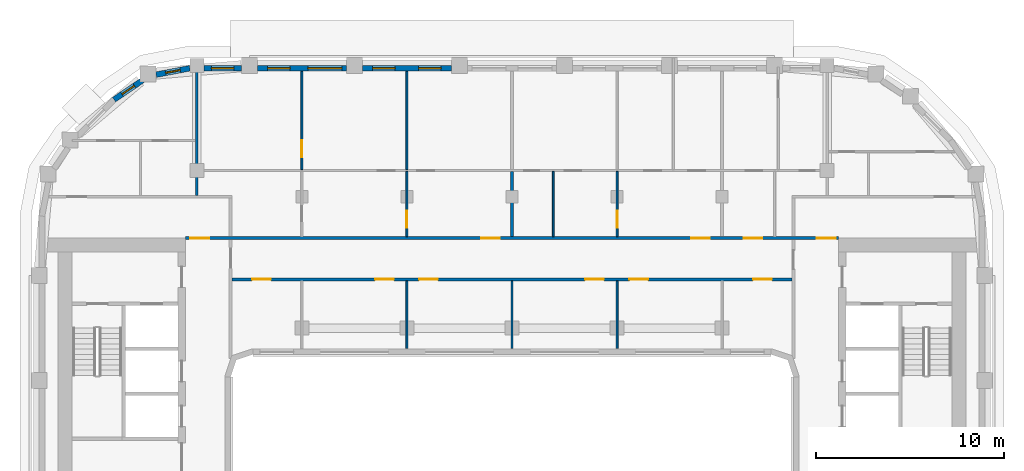
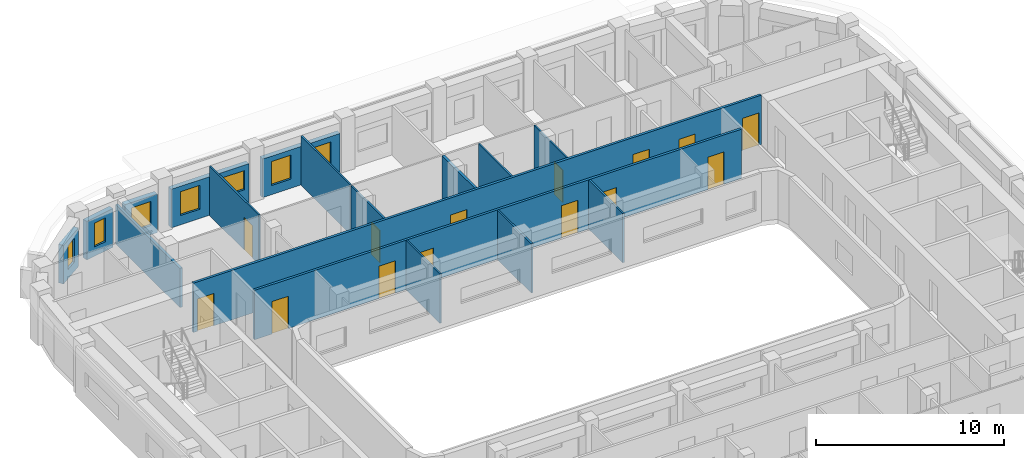
# One storey, part 7 of 21: 17 walls, 14 doors, 7 windows, 21 openings.
"""IFC4 building model written with IfcOpenShell, lengths in metres."""

from ifc_helpers import new_model, si_unit, direction, frame, frame_2d, origin, place, context, subcontext, project, spatial, rectangle, extrude, material, layer, layer_set, type_object, element, fill, save


model = new_model("IFC4")

# Units and contexts
model_context = context("Model", 3, precision=1e-05, world=origin(), true_north=direction((0.0, 1.0)))
body_context = subcontext(model_context, "Body", "Model", "MODEL_VIEW")
ifc_project = project(units=[si_unit("LENGTHUNIT", "METRE"), si_unit("AREAUNIT", "SQUARE_METRE"), si_unit("VOLUMEUNIT", "CUBIC_METRE"), si_unit("PLANEANGLEUNIT", "RADIAN"), si_unit("MASSUNIT", "GRAM", prefix="KILO")], contexts=[model_context])

# Site, building, storey
site_placement = place(None, origin())
site = spatial("IfcSite", under=ifc_project, at=site_placement, CompositionType="ELEMENT")
building_placement = place(site_placement, origin())
building = spatial("IfcBuilding", under=site, at=building_placement, Name="Kiln Ring Residences", CompositionType="ELEMENT")
storey_placement = place(building_placement, frame((0.0, 0.0, 216.89990234375)))
storey = spatial("IfcBuildingStorey", under=building, at=storey_placement, Name="L56", CompositionType="ELEMENT", Elevation=216.89990234375)

# Wall, openings, windows
ifc_material_1 = material(Name="Brick masonry, dark clay brick", Category="masonry")
ifc_layer_1 = layer(ifc_material_1, 0.300048828125)
ifc_layer_set_1 = layer_set([ifc_layer_1], Name="EW-300 BRICK WALL")
wall_type_1 = type_object("IfcWallType", Name="EW-300 BRICK WALL", PredefinedType="SOLIDWALL", material=ifc_layer_set_1)
wall_1_placement = place(storey_placement, frame((-3.22509765625, 22.25, 0.0), z_axis=(0.0, 0.0, 1.0), x_axis=(-1.0, 0.0, 0.0)))
wall_1 = element("IfcWall", 1, at=wall_1_placement, inside=storey, type_object=wall_type_1, Name="Facade wall L56 31", PredefinedType="SOLIDWALL", context=body_context, shape_type="SweptSolid", body=[
    extrude(rectangle(XDim=4.75, YDim=0.300048828125, at=frame_2d((2.375, 0.0))), origin(), (0.0, 0.0, 1.0), 2.5),
])
opening_1_placement = place(wall_1_placement, frame((0.550048828125, 0.0, 0.60009765625)))
opening_1 = element("IfcOpeningElement", 2, at=opening_1_placement, cuts=wall_1, Name="Opening W1", PredefinedType="OPENING", context=body_context, shape_type="SweptSolid", body=[
    extrude(rectangle(XDim=1.199951171875, YDim=1.550048828125, at=frame_2d((0.60009765625, 0.77490234375))), frame((0.0, 0.159912109375, 0.0), z_axis=(0.0, -1.0, 0.0), x_axis=(1.0, 0.0, 0.0)), (0.0, 0.0, 1.0), 0.320068359375),
])
opening_2_placement = place(wall_1_placement, frame((3.0, 0.0, 0.60009765625)))
opening_2 = element("IfcOpeningElement", 3, at=opening_2_placement, cuts=wall_1, Name="Opening W1", PredefinedType="OPENING", context=body_context, shape_type="SweptSolid", body=[
    extrude(rectangle(XDim=1.199951171875, YDim=1.550048828125, at=frame_2d((0.60009765625, 0.77490234375))), frame((0.0, 0.159912109375, 0.0), z_axis=(0.0, -1.0, 0.0), x_axis=(1.0, 0.0, 0.0)), (0.0, 0.0, 1.0), 0.320068359375),
])
ifc_material_2 = material(Name="Aluminium frame with double glazing", Category="aluminium")
window_type_1 = type_object("IfcWindowType", Name="WINDOW 1200 x 1550", PartitioningType="SINGLE_PANEL", PredefinedType="WINDOW", material=ifc_material_2)
window_1_placement = place(opening_1_placement, origin())
window_1 = element("IfcWindow", 4, at=window_1_placement, inside=storey, type_object=window_type_1, Name="Window L56 26", OverallHeight=1.550048828125, OverallWidth=1.199951171875, PartitioningType="SINGLE_PANEL", PredefinedType="WINDOW", context=body_context, shape_type="SweptSolid", body=[
    extrude(rectangle(XDim=1.199951171875, YDim=1.550048828125, at=frame_2d((0.60009765625, 0.77490234375))), frame((0.0, 0.030029296875, 0.0), z_axis=(0.0, -1.0, 0.0), x_axis=(1.0, 0.0, 0.0)), (0.0, 0.0, 1.0), 0.06005859375),
])
fill(opening_1, window_1)
window_2_placement = place(opening_2_placement, origin())
window_2 = element("IfcWindow", 5, at=window_2_placement, inside=storey, type_object=window_type_1, Name="Window L56 27", OverallHeight=1.550048828125, OverallWidth=1.199951171875, PartitioningType="SINGLE_PANEL", PredefinedType="WINDOW", context=body_context, shape_type="SweptSolid", body=[
    extrude(rectangle(XDim=1.199951171875, YDim=1.550048828125, at=frame_2d((0.60009765625, 0.77490234375))), frame((0.0, 0.030029296875, 0.0), z_axis=(0.0, -1.0, 0.0), x_axis=(1.0, 0.0, 0.0)), (0.0, 0.0, 1.0), 0.06005859375),
])
fill(opening_2, window_2)

wall_2_placement = place(storey_placement, frame((-8.824951171875, 22.25, 0.0), z_axis=(0.0, 0.0, 1.0), x_axis=(-1.0, 0.0, 0.0)))
wall_2 = element("IfcWall", 6, at=wall_2_placement, inside=storey, type_object=wall_type_1, Name="Facade wall L56 32", PredefinedType="SOLIDWALL", context=body_context, shape_type="SweptSolid", body=[
    extrude(rectangle(XDim=4.75, YDim=0.300048828125, at=frame_2d((2.375, 0.0))), origin(), (0.0, 0.0, 1.0), 2.5),
])
opening_3_placement = place(wall_2_placement, frame((0.25, 0.0, 0.89990234375)))
opening_3 = element("IfcOpeningElement", 7, at=opening_3_placement, cuts=wall_2, Name="Opening W2", PredefinedType="OPENING", context=body_context, shape_type="SweptSolid", body=[
    extrude(rectangle(XDim=1.800048828125, YDim=1.25, at=frame_2d((0.89990234375, 0.625))), frame((0.0, 0.159912109375, 0.0), z_axis=(0.0, -1.0, 0.0), x_axis=(1.0, 0.0, 0.0)), (0.0, 0.0, 1.0), 0.320068359375),
])
opening_4_placement = place(wall_2_placement, frame((3.0, 0.0, 0.60009765625)))
opening_4 = element("IfcOpeningElement", 8, at=opening_4_placement, cuts=wall_2, Name="Opening W1", PredefinedType="OPENING", context=body_context, shape_type="SweptSolid", body=[
    extrude(rectangle(XDim=1.199951171875, YDim=1.550048828125, at=frame_2d((0.60009765625, 0.77490234375))), frame((0.0, 0.159912109375, 0.0), z_axis=(0.0, -1.0, 0.0), x_axis=(1.0, 0.0, 0.0)), (0.0, 0.0, 1.0), 0.320068359375),
])
window_3_placement = place(opening_4_placement, origin())
window_3 = element("IfcWindow", 9, at=window_3_placement, inside=storey, type_object=window_type_1, Name="Window L56 29", OverallHeight=1.550048828125, OverallWidth=1.199951171875, PartitioningType="SINGLE_PANEL", PredefinedType="WINDOW", context=body_context, shape_type="SweptSolid", body=[
    extrude(rectangle(XDim=1.199951171875, YDim=1.550048828125, at=frame_2d((0.60009765625, 0.77490234375))), frame((0.0, 0.030029296875, 0.0), z_axis=(0.0, -1.0, 0.0), x_axis=(1.0, 0.0, 0.0)), (0.0, 0.0, 1.0), 0.06005859375),
])
fill(opening_4, window_3)
ifc_material_3 = material(Name="Aluminium frame with double glazing", Category="aluminium")
window_type_2 = type_object("IfcWindowType", Name="WINDOW 1800 x 1250", PartitioningType="SINGLE_PANEL", PredefinedType="WINDOW", material=ifc_material_3)
window_4_placement = place(opening_3_placement, origin())
window_4 = element("IfcWindow", 10, at=window_4_placement, inside=storey, type_object=window_type_2, Name="Window L56 28", OverallHeight=1.25, OverallWidth=1.800048828125, PartitioningType="SINGLE_PANEL", PredefinedType="WINDOW", context=body_context, shape_type="SweptSolid", body=[
    extrude(rectangle(XDim=1.800048828125, YDim=1.25, at=frame_2d((0.89990234375, 0.625))), frame((0.0, 0.030029296875, 0.0), z_axis=(0.0, -1.0, 0.0), x_axis=(1.0, 0.0, 0.0)), (0.0, 0.0, 1.0), 0.06005859375),
])
fill(opening_3, window_4)

# Wall, opening, window
wall_3_placement = place(storey_placement, frame((-14.425048828125, 22.25, 0.0), z_axis=(0.0, 0.0, 1.0), x_axis=(-1.0, 0.0, 0.0)))
wall_3 = element("IfcWall", 11, at=wall_3_placement, inside=storey, type_object=wall_type_1, Name="Facade wall L56 33", PredefinedType="SOLIDWALL", context=body_context, shape_type="SweptSolid", body=[
    extrude(rectangle(XDim=2.0, YDim=0.300048828125, at=frame_2d((1.0, 0.0))), origin(), (0.0, 0.0, 1.0), 2.5),
])
opening_5_placement = place(wall_3_placement, frame((0.39990234375, 0.0, 0.60009765625)))
opening_5 = element("IfcOpeningElement", 12, at=opening_5_placement, cuts=wall_3, Name="Opening W1", PredefinedType="OPENING", context=body_context, shape_type="SweptSolid", body=[
    extrude(rectangle(XDim=1.199951171875, YDim=1.550048828125, at=frame_2d((0.60009765625, 0.77490234375))), frame((0.0, 0.159912109375, 0.0), z_axis=(0.0, -1.0, 0.0), x_axis=(1.0, 0.0, 0.0)), (0.0, 0.0, 1.0), 0.320068359375),
])
window_5_placement = place(opening_5_placement, origin())
window_5 = element("IfcWindow", 13, at=window_5_placement, inside=storey, type_object=window_type_1, Name="Window L56 30", OverallHeight=1.550048828125, OverallWidth=1.199951171875, PartitioningType="SINGLE_PANEL", PredefinedType="WINDOW", context=body_context, shape_type="SweptSolid", body=[
    extrude(rectangle(XDim=1.199951171875, YDim=1.550048828125, at=frame_2d((0.60009765625, 0.77490234375))), frame((0.0, 0.030029296875, 0.0), z_axis=(0.0, -1.0, 0.0), x_axis=(1.0, 0.0, 0.0)), (0.0, 0.0, 1.0), 0.06005859375),
])
fill(opening_5, window_5)

wall_4_placement = place(storey_placement, frame((-17.171875, 22.252685546875, 0.0), z_axis=(0.0, 0.0, 1.0), x_axis=(-0.982300037503, -0.187314271538, 0.0)))
wall_4 = element("IfcWall", 14, at=wall_4_placement, inside=storey, type_object=wall_type_1, Name="Facade wall L56 34", PredefinedType="SOLIDWALL", context=body_context, shape_type="SweptSolid", body=[
    extrude(rectangle(XDim=1.831298828125, YDim=0.300048828125, at=frame_2d((0.91552734375, 0.0))), origin(), (0.0, 0.0, 1.0), 2.5),
])
opening_6_placement = place(wall_4_placement, frame((0.515625, 0.0, 0.60009765625)))
opening_6 = element("IfcOpeningElement", 15, at=opening_6_placement, cuts=wall_4, Name="Opening W5", PredefinedType="OPENING", context=body_context, shape_type="SweptSolid", body=[
    extrude(rectangle(XDim=0.800048828125, YDim=1.550048828125, at=frame_2d((0.39990234375, 0.77490234375))), frame((0.0, 0.159912109375, 0.0), z_axis=(0.0, -1.0, 0.0), x_axis=(1.0, 0.0, 0.0)), (0.0, 0.0, 1.0), 0.320068359375),
])
ifc_material_4 = material(Name="Aluminium frame with double glazing", Category="aluminium")
window_type_3 = type_object("IfcWindowType", Name="WINDOW 800 x 1550", PartitioningType="SINGLE_PANEL", PredefinedType="WINDOW", material=ifc_material_4)
window_6_placement = place(opening_6_placement, origin())
window_6 = element("IfcWindow", 16, at=window_6_placement, inside=storey, type_object=window_type_3, Name="Window L56 31", OverallHeight=1.550048828125, OverallWidth=0.800048828125, PartitioningType="SINGLE_PANEL", PredefinedType="WINDOW", context=body_context, shape_type="SweptSolid", body=[
    extrude(rectangle(XDim=0.800048828125, YDim=1.550048828125, at=frame_2d((0.39990234375, 0.77490234375))), frame((0.0, 0.030029296875, 0.0), z_axis=(0.0, -1.0, 0.0), x_axis=(1.0, 0.0, 0.0)), (0.0, 0.0, 1.0), 0.06005859375),
])
fill(opening_6, window_6)

wall_5_placement = place(storey_placement, frame((-19.6982421875, 21.608154296875, 0.0), z_axis=(0.0, 0.0, 1.0), x_axis=(-0.82705295608, -0.562124014644, 0.0)))
wall_5 = element("IfcWall", 17, at=wall_5_placement, inside=storey, type_object=wall_type_1, Name="Facade wall L56 35", PredefinedType="SOLIDWALL", context=body_context, shape_type="SweptSolid", body=[
    extrude(rectangle(XDim=1.8310546875, YDim=0.300048828125, at=frame_2d((0.91552734375, 0.0))), origin(), (0.0, 0.0, 1.0), 2.5),
])
opening_7_placement = place(wall_5_placement, frame((0.515625, 0.0, 0.60009765625)))
opening_7 = element("IfcOpeningElement", 18, at=opening_7_placement, cuts=wall_5, Name="Opening W5", PredefinedType="OPENING", context=body_context, shape_type="SweptSolid", body=[
    extrude(rectangle(XDim=0.800048828125, YDim=1.550048828125, at=frame_2d((0.39990234375, 0.77490234375))), frame((0.0, 0.159912109375, 0.0), z_axis=(0.0, -1.0, 0.0), x_axis=(1.0, 0.0, 0.0)), (0.0, 0.0, 1.0), 0.320068359375),
])
window_7_placement = place(opening_7_placement, origin())
window_7 = element("IfcWindow", 19, at=window_7_placement, inside=storey, type_object=window_type_3, Name="Window L56 32", OverallHeight=1.550048828125, OverallWidth=0.800048828125, PartitioningType="SINGLE_PANEL", PredefinedType="WINDOW", context=body_context, shape_type="SweptSolid", body=[
    extrude(rectangle(XDim=0.800048828125, YDim=1.550048828125, at=frame_2d((0.39990234375, 0.77490234375))), frame((0.0, 0.030029296875, 0.0), z_axis=(0.0, -1.0, 0.0), x_axis=(1.0, 0.0, 0.0)), (0.0, 0.0, 1.0), 0.06005859375),
])
fill(opening_7, window_7)

# Wall, opening, door
ifc_material_5 = material(Name="Gypsum board on steel studs", Category="steel")
ifc_layer_2 = layer(ifc_material_5, 0.10009765625)
ifc_layer_set_2 = layer_set([ifc_layer_2], Name="PARTITION-100")
wall_type_2 = type_object("IfcWallType", Name="PARTITION-100", PredefinedType="PARTITIONING", material=ifc_layer_set_2)
wall_6_placement = place(storey_placement, frame((-11.199951171875, 16.85009765625, 0.0), z_axis=(0.0, 0.0, 1.0), x_axis=(0.0, 1.0, 0.0)))
wall_6 = element("IfcWall", 20, at=wall_6_placement, inside=storey, type_object=wall_type_2, Name="Partition 026", PredefinedType="PARTITIONING", context=body_context, shape_type="SweptSolid", body=[
    extrude(rectangle(XDim=5.22998046875, YDim=0.10009765625, at=frame_2d((2.614990234375, 0.0))), origin(), (0.0, 0.0, 1.0), 3.2001953125),
])
opening_8_placement = place(wall_6_placement, frame((0.659912109375, 0.0, 0.0)))
opening_8 = element("IfcOpeningElement", 21, at=opening_8_placement, cuts=wall_6, Name="Opening L56-D020", PredefinedType="OPENING", context=body_context, shape_type="SweptSolid", body=[
    extrude(rectangle(XDim=0.89990234375, YDim=2.10009765625, at=frame_2d((0.449951171875, 1.050048828125))), frame((0.0, 0.06005859375, 0.0), z_axis=(0.0, -1.0, 0.0), x_axis=(1.0, 0.0, 0.0)), (0.0, 0.0, 1.0), 0.1201171875),
])
ifc_material_6 = material(Name="Timber door leaf", Category="wood")
door_type_1 = type_object("IfcDoorType", Name="FLAT-DOOR-900-PL", OperationType="SINGLE_SWING_LEFT", PredefinedType="DOOR", material=ifc_material_6)
door_1_placement = place(opening_8_placement, origin())
door_1 = element("IfcDoor", 22, at=door_1_placement, inside=storey, type_object=door_type_1, Name="Door L56-D020", OperationType="SINGLE_SWING_RIGHT", OverallHeight=2.10009765625, OverallWidth=0.89990234375, PredefinedType="DOOR", context=body_context, shape_type="SweptSolid", body=[
    extrude(rectangle(XDim=0.89990234375, YDim=2.10009765625, at=frame_2d((0.449951171875, 1.050048828125))), frame((0.0, 0.02490234375, 0.0), z_axis=(0.0, -1.0, 0.0), x_axis=(1.0, 0.0, 0.0)), (0.0, 0.0, 1.0), 0.050048828125),
])
fill(opening_8, door_1)

# Wall
wall_7_placement = place(storey_placement, frame((-5.60009765625, 7.320068359375, 0.0), z_axis=(0.0, 0.0, 1.0), x_axis=(0.0, 1.0, 0.0)))
element("IfcWall", 23, at=wall_7_placement, inside=storey, type_object=wall_type_2, Name="Partition 033", PredefinedType="PARTITIONING", context=body_context, shape_type="SweptSolid", body=[
    extrude(rectangle(XDim=3.60498046875, YDim=0.10009765625, at=frame_2d((1.802490234375, 0.0))), origin(), (0.0, 0.0, 1.0), 3.2001953125),
])

# Wall, opening, door
wall_8_placement = place(storey_placement, frame((-5.60009765625, 13.27490234375, 0.0), z_axis=(0.0, 0.0, 1.0), x_axis=(0.0, 1.0, 0.0)))
wall_8 = element("IfcWall", 24, at=wall_8_placement, inside=storey, type_object=wall_type_2, Name="Partition 034", PredefinedType="PARTITIONING", context=body_context, shape_type="SweptSolid", body=[
    extrude(rectangle(XDim=3.47509765625, YDim=0.10009765625, at=frame_2d((1.737548828125, 0.0))), origin(), (0.0, 0.0, 1.0), 3.2001953125),
])
opening_9_placement = place(wall_8_placement, frame((0.47509765625, 0.0, 0.0)))
opening_9 = element("IfcOpeningElement", 25, at=opening_9_placement, cuts=wall_8, Name="Opening L56-D016", PredefinedType="OPENING", context=body_context, shape_type="SweptSolid", body=[
    extrude(rectangle(XDim=0.89990234375, YDim=2.10009765625, at=frame_2d((0.449951171875, 1.050048828125))), frame((0.0, 0.06005859375, 0.0), z_axis=(0.0, -1.0, 0.0), x_axis=(1.0, 0.0, 0.0)), (0.0, 0.0, 1.0), 0.1201171875),
])
door_2_placement = place(opening_9_placement, origin())
door_2 = element("IfcDoor", 26, at=door_2_placement, inside=storey, type_object=door_type_1, Name="Door L56-D016", OperationType="SINGLE_SWING_RIGHT", OverallHeight=2.10009765625, OverallWidth=0.89990234375, PredefinedType="DOOR", context=body_context, shape_type="SweptSolid", body=[
    extrude(rectangle(XDim=0.89990234375, YDim=2.10009765625, at=frame_2d((0.449951171875, 1.050048828125))), frame((0.0, 0.02490234375, 0.0), z_axis=(0.0, -1.0, 0.0), x_axis=(1.0, 0.0, 0.0)), (0.0, 0.0, 1.0), 0.050048828125),
])
fill(opening_9, door_2)

# Walls
wall_9_placement = place(storey_placement, frame((-5.60009765625, 16.85009765625, 0.0), z_axis=(0.0, 0.0, 1.0), x_axis=(0.0, 1.0, 0.0)))
element("IfcWall", 27, at=wall_9_placement, inside=storey, type_object=wall_type_2, Name="Partition 035", PredefinedType="PARTITIONING", context=body_context, shape_type="SweptSolid", body=[
    extrude(rectangle(XDim=5.22998046875, YDim=0.10009765625, at=frame_2d((2.614990234375, 0.0))), origin(), (0.0, 0.0, 1.0), 3.2001953125),
])
wall_10_placement = place(storey_placement, frame((0.0, 7.320068359375, 0.0), z_axis=(0.0, 0.0, 1.0), x_axis=(0.0, 1.0, 0.0)))
element("IfcWall", 28, at=wall_10_placement, inside=storey, type_object=wall_type_2, Name="Partition 038", PredefinedType="PARTITIONING", context=body_context, shape_type="SweptSolid", body=[
    extrude(rectangle(XDim=3.60498046875, YDim=0.10009765625, at=frame_2d((1.802490234375, 0.0))), origin(), (0.0, 0.0, 1.0), 3.2001953125),
])
wall_11_placement = place(storey_placement, frame((2.199951171875, 13.27490234375, 0.0), z_axis=(0.0, 0.0, 1.0), x_axis=(0.0, 1.0, 0.0)))
element("IfcWall", 29, at=wall_11_placement, inside=storey, type_object=wall_type_2, Name="Partition 043", PredefinedType="PARTITIONING", context=body_context, shape_type="SweptSolid", body=[
    extrude(rectangle(XDim=3.47509765625, YDim=0.10009765625, at=frame_2d((1.737548828125, 0.0))), origin(), (0.0, 0.0, 1.0), 3.2001953125),
])
wall_12_placement = place(storey_placement, frame((5.60009765625, 7.320068359375, 0.0), z_axis=(0.0, 0.0, 1.0), x_axis=(0.0, 1.0, 0.0)))
element("IfcWall", 30, at=wall_12_placement, inside=storey, type_object=wall_type_2, Name="Partition 048", PredefinedType="PARTITIONING", context=body_context, shape_type="SweptSolid", body=[
    extrude(rectangle(XDim=3.60498046875, YDim=0.10009765625, at=frame_2d((1.802490234375, 0.0))), origin(), (0.0, 0.0, 1.0), 3.2001953125),
])

# Wall, opening, door
wall_13_placement = place(storey_placement, frame((5.60009765625, 13.27490234375, 0.0), z_axis=(0.0, 0.0, 1.0), x_axis=(0.0, 1.0, 0.0)))
wall_13 = element("IfcWall", 31, at=wall_13_placement, inside=storey, type_object=wall_type_2, Name="Partition 049", PredefinedType="PARTITIONING", context=body_context, shape_type="SweptSolid", body=[
    extrude(rectangle(XDim=3.47509765625, YDim=0.10009765625, at=frame_2d((1.737548828125, 0.0))), origin(), (0.0, 0.0, 1.0), 3.2001953125),
])
opening_10_placement = place(wall_13_placement, frame((0.47509765625, 0.0, 0.0)))
opening_10 = element("IfcOpeningElement", 32, at=opening_10_placement, cuts=wall_13, Name="Opening L56-D022", PredefinedType="OPENING", context=body_context, shape_type="SweptSolid", body=[
    extrude(rectangle(XDim=0.89990234375, YDim=2.10009765625, at=frame_2d((0.449951171875, 1.050048828125))), frame((0.0, 0.06005859375, 0.0), z_axis=(0.0, -1.0, 0.0), x_axis=(1.0, 0.0, 0.0)), (0.0, 0.0, 1.0), 0.1201171875),
])
door_3_placement = place(opening_10_placement, origin())
door_3 = element("IfcDoor", 33, at=door_3_placement, inside=storey, type_object=door_type_1, Name="Door L56-D022", OperationType="SINGLE_SWING_RIGHT", OverallHeight=2.10009765625, OverallWidth=0.89990234375, PredefinedType="DOOR", context=body_context, shape_type="SweptSolid", body=[
    extrude(rectangle(XDim=0.89990234375, YDim=2.10009765625, at=frame_2d((0.449951171875, 1.050048828125))), frame((0.0, 0.02490234375, 0.0), z_axis=(0.0, -1.0, 0.0), x_axis=(1.0, 0.0, 0.0)), (0.0, 0.0, 1.0), 0.050048828125),
])
fill(opening_10, door_3)

# Wall, openings, doors
ifc_material_7 = material(Name="Brick masonry partition", Category="masonry")
ifc_layer_3 = layer(ifc_material_7, 0.14990234375)
ifc_layer_set_3 = layer_set([ifc_layer_3], Name="PARTITION-150-ei60")
wall_type_3 = type_object("IfcWallType", Name="PARTITION-150-ei60", PredefinedType="PARTITIONING", material=ifc_layer_set_3)
wall_14_placement = place(storey_placement, frame((-14.925048828125, 11.0, 0.0), z_axis=(0.0, 0.0, 1.0), x_axis=(1.0, 0.0, 0.0)))
wall_14 = element("IfcWall", 34, at=wall_14_placement, inside=storey, type_object=wall_type_3, Name="Partition 007", PredefinedType="PARTITIONING", context=body_context, shape_type="SweptSolid", body=[
    extrude(rectangle(XDim=29.85009765625, YDim=0.14990234375, at=frame_2d((14.925048828125, 0.0))), origin(), (0.0, 0.0, 1.0), 3.2001953125),
])
opening_11_placement = place(wall_14_placement, frame((1.075927734375, 0.0, 0.0)))
opening_11 = element("IfcOpeningElement", 35, at=opening_11_placement, cuts=wall_14, Name="Opening L56-D009", PredefinedType="OPENING", context=body_context, shape_type="SweptSolid", body=[
    extrude(rectangle(XDim=1.0, YDim=2.10009765625, at=frame_2d((0.5, 1.050048828125))), frame((0.0, 0.0849609375, 0.0), z_axis=(0.0, -1.0, 0.0), x_axis=(1.0, 0.0, 0.0)), (0.0, 0.0, 1.0), 0.169921875),
])
opening_12_placement = place(wall_14_placement, frame((7.625, 0.0, 0.0)))
opening_12 = element("IfcOpeningElement", 36, at=opening_12_placement, cuts=wall_14, Name="Opening L56-D010", PredefinedType="OPENING", context=body_context, shape_type="SweptSolid", body=[
    extrude(rectangle(XDim=1.0, YDim=2.10009765625, at=frame_2d((0.5, 1.050048828125))), frame((0.0, 0.0849609375, 0.0), z_axis=(0.0, -1.0, 0.0), x_axis=(1.0, 0.0, 0.0)), (0.0, 0.0, 1.0), 0.169921875),
])
opening_13_placement = place(wall_14_placement, frame((9.97509765625, 0.0, 0.0)))
opening_13 = element("IfcOpeningElement", 37, at=opening_13_placement, cuts=wall_14, Name="Opening L56-D011", PredefinedType="OPENING", context=body_context, shape_type="SweptSolid", body=[
    extrude(rectangle(XDim=1.0, YDim=2.10009765625, at=frame_2d((0.5, 1.050048828125))), frame((0.0, 0.0849609375, 0.0), z_axis=(0.0, -1.0, 0.0), x_axis=(1.0, 0.0, 0.0)), (0.0, 0.0, 1.0), 0.169921875),
])
opening_14_placement = place(wall_14_placement, frame((18.824951171875, 0.0, 0.0)))
opening_14 = element("IfcOpeningElement", 38, at=opening_14_placement, cuts=wall_14, Name="Opening L56-D012", PredefinedType="OPENING", context=body_context, shape_type="SweptSolid", body=[
    extrude(rectangle(XDim=1.0, YDim=2.10009765625, at=frame_2d((0.5, 1.050048828125))), frame((0.0, 0.0849609375, 0.0), z_axis=(0.0, -1.0, 0.0), x_axis=(1.0, 0.0, 0.0)), (0.0, 0.0, 1.0), 0.169921875),
])
opening_15_placement = place(wall_14_placement, frame((21.175048828125, 0.0, 0.0)))
opening_15 = element("IfcOpeningElement", 39, at=opening_15_placement, cuts=wall_14, Name="Opening L56-D013", PredefinedType="OPENING", context=body_context, shape_type="SweptSolid", body=[
    extrude(rectangle(XDim=1.0, YDim=2.10009765625, at=frame_2d((0.5, 1.050048828125))), frame((0.0, 0.0849609375, 0.0), z_axis=(0.0, -1.0, 0.0), x_axis=(1.0, 0.0, 0.0)), (0.0, 0.0, 1.0), 0.169921875),
])
opening_16_placement = place(wall_14_placement, frame((27.77490234375, 0.0, 0.0)))
opening_16 = element("IfcOpeningElement", 40, at=opening_16_placement, cuts=wall_14, Name="Opening L56-D014", PredefinedType="OPENING", context=body_context, shape_type="SweptSolid", body=[
    extrude(rectangle(XDim=1.0, YDim=2.10009765625, at=frame_2d((0.5, 1.050048828125))), frame((0.0, 0.0849609375, 0.0), z_axis=(0.0, -1.0, 0.0), x_axis=(1.0, 0.0, 0.0)), (0.0, 0.0, 1.0), 0.169921875),
])
ifc_material_8 = material(Name="Steel faced fire door leaf", Category="steel")
door_type_2 = type_object("IfcDoorType", Name="FLAT-DOOR-1000-FR", OperationType="SINGLE_SWING_LEFT", PredefinedType="DOOR", material=ifc_material_8)
door_4_placement = place(opening_11_placement, origin())
door_4 = element("IfcDoor", 41, at=door_4_placement, inside=storey, type_object=door_type_2, Name="Door L56-D009", OperationType="SINGLE_SWING_LEFT", OverallHeight=2.10009765625, OverallWidth=1.0, PredefinedType="DOOR", context=body_context, shape_type="SweptSolid", body=[
    extrude(rectangle(XDim=1.0, YDim=2.10009765625, at=frame_2d((0.5, 1.050048828125))), frame((0.0, 0.02490234375, 0.0), z_axis=(0.0, -1.0, 0.0), x_axis=(1.0, 0.0, 0.0)), (0.0, 0.0, 1.0), 0.050048828125),
])
fill(opening_11, door_4)
door_5_placement = place(opening_12_placement, origin())
door_5 = element("IfcDoor", 42, at=door_5_placement, inside=storey, type_object=door_type_2, Name="Door L56-D010", OperationType="SINGLE_SWING_RIGHT", OverallHeight=2.10009765625, OverallWidth=1.0, PredefinedType="DOOR", context=body_context, shape_type="SweptSolid", body=[
    extrude(rectangle(XDim=1.0, YDim=2.10009765625, at=frame_2d((0.5, 1.050048828125))), frame((0.0, 0.02490234375, 0.0), z_axis=(0.0, -1.0, 0.0), x_axis=(1.0, 0.0, 0.0)), (0.0, 0.0, 1.0), 0.050048828125),
])
fill(opening_12, door_5)
door_6_placement = place(opening_13_placement, origin())
door_6 = element("IfcDoor", 43, at=door_6_placement, inside=storey, type_object=door_type_2, Name="Door L56-D011", OperationType="SINGLE_SWING_LEFT", OverallHeight=2.10009765625, OverallWidth=1.0, PredefinedType="DOOR", context=body_context, shape_type="SweptSolid", body=[
    extrude(rectangle(XDim=1.0, YDim=2.10009765625, at=frame_2d((0.5, 1.050048828125))), frame((0.0, 0.02490234375, 0.0), z_axis=(0.0, -1.0, 0.0), x_axis=(1.0, 0.0, 0.0)), (0.0, 0.0, 1.0), 0.050048828125),
])
fill(opening_13, door_6)
door_7_placement = place(opening_14_placement, origin())
door_7 = element("IfcDoor", 44, at=door_7_placement, inside=storey, type_object=door_type_2, Name="Door L56-D012", OperationType="SINGLE_SWING_RIGHT", OverallHeight=2.10009765625, OverallWidth=1.0, PredefinedType="DOOR", context=body_context, shape_type="SweptSolid", body=[
    extrude(rectangle(XDim=1.0, YDim=2.10009765625, at=frame_2d((0.5, 1.050048828125))), frame((0.0, 0.02490234375, 0.0), z_axis=(0.0, -1.0, 0.0), x_axis=(1.0, 0.0, 0.0)), (0.0, 0.0, 1.0), 0.050048828125),
])
fill(opening_14, door_7)
door_8_placement = place(opening_15_placement, origin())
door_8 = element("IfcDoor", 45, at=door_8_placement, inside=storey, type_object=door_type_2, Name="Door L56-D013", OperationType="SINGLE_SWING_LEFT", OverallHeight=2.10009765625, OverallWidth=1.0, PredefinedType="DOOR", context=body_context, shape_type="SweptSolid", body=[
    extrude(rectangle(XDim=1.0, YDim=2.10009765625, at=frame_2d((0.5, 1.050048828125))), frame((0.0, 0.02490234375, 0.0), z_axis=(0.0, -1.0, 0.0), x_axis=(1.0, 0.0, 0.0)), (0.0, 0.0, 1.0), 0.050048828125),
])
fill(opening_15, door_8)
door_9_placement = place(opening_16_placement, origin())
door_9 = element("IfcDoor", 46, at=door_9_placement, inside=storey, type_object=door_type_2, Name="Door L56-D014", OperationType="SINGLE_SWING_RIGHT", OverallHeight=2.10009765625, OverallWidth=1.0, PredefinedType="DOOR", context=body_context, shape_type="SweptSolid", body=[
    extrude(rectangle(XDim=1.0, YDim=2.10009765625, at=frame_2d((0.5, 1.050048828125))), frame((0.0, 0.02490234375, 0.0), z_axis=(0.0, -1.0, 0.0), x_axis=(1.0, 0.0, 0.0)), (0.0, 0.0, 1.0), 0.050048828125),
])
fill(opening_16, door_9)

wall_15_placement = place(storey_placement, frame((-17.39990234375, 13.199951171875, 0.0), z_axis=(0.0, 0.0, 1.0), x_axis=(1.0, 0.0, 0.0)))
wall_15 = element("IfcWall", 47, at=wall_15_placement, inside=storey, type_object=wall_type_3, Name="Partition 008", PredefinedType="PARTITIONING", context=body_context, shape_type="SweptSolid", body=[
    extrude(rectangle(XDim=34.7998046875, YDim=0.14990234375, at=frame_2d((17.39990234375, 0.0))), origin(), (0.0, 0.0, 1.0), 3.2001953125),
])
opening_17_placement = place(wall_15_placement, frame((0.25, 0.0, 0.0)))
opening_17 = element("IfcOpeningElement", 48, at=opening_17_placement, cuts=wall_15, Name="Opening L56-D003", PredefinedType="OPENING", context=body_context, shape_type="SweptSolid", body=[
    extrude(rectangle(XDim=1.0, YDim=2.10009765625, at=frame_2d((0.5, 1.050048828125))), frame((0.0, 0.0849609375, 0.0), z_axis=(0.0, -1.0, 0.0), x_axis=(1.0, 0.0, 0.0)), (0.0, 0.0, 1.0), 0.169921875),
])
opening_18_placement = place(wall_15_placement, frame((33.64990234375, 0.0, 0.0)))
opening_18 = element("IfcOpeningElement", 49, at=opening_18_placement, cuts=wall_15, Name="Opening L56-D004", PredefinedType="OPENING", context=body_context, shape_type="SweptSolid", body=[
    extrude(rectangle(XDim=1.0, YDim=2.10009765625, at=frame_2d((0.5, 1.050048828125))), frame((0.0, 0.0849609375, 0.0), z_axis=(0.0, -1.0, 0.0), x_axis=(1.0, 0.0, 0.0)), (0.0, 0.0, 1.0), 0.169921875),
])
opening_19_placement = place(wall_15_placement, frame((15.75, 0.0, 0.0)))
opening_19 = element("IfcOpeningElement", 50, at=opening_19_placement, cuts=wall_15, Name="Opening L56-D015", PredefinedType="OPENING", context=body_context, shape_type="SweptSolid", body=[
    extrude(rectangle(XDim=1.0, YDim=2.10009765625, at=frame_2d((0.5, 1.050048828125))), frame((0.0, 0.0849609375, 0.0), z_axis=(0.0, -1.0, 0.0), x_axis=(1.0, 0.0, 0.0)), (0.0, 0.0, 1.0), 0.169921875),
])
opening_20_placement = place(wall_15_placement, frame((26.949951171875, 0.0, 0.0)))
opening_20 = element("IfcOpeningElement", 51, at=opening_20_placement, cuts=wall_15, Name="Opening L56-D021", PredefinedType="OPENING", context=body_context, shape_type="SweptSolid", body=[
    extrude(rectangle(XDim=1.0, YDim=2.10009765625, at=frame_2d((0.5, 1.050048828125))), frame((0.0, 0.0849609375, 0.0), z_axis=(0.0, -1.0, 0.0), x_axis=(1.0, 0.0, 0.0)), (0.0, 0.0, 1.0), 0.169921875),
])
opening_21_placement = place(wall_15_placement, frame((29.75, 0.0, 0.0)))
opening_21 = element("IfcOpeningElement", 52, at=opening_21_placement, cuts=wall_15, Name="Opening L56-D027", PredefinedType="OPENING", context=body_context, shape_type="SweptSolid", body=[
    extrude(rectangle(XDim=1.0, YDim=2.10009765625, at=frame_2d((0.5, 1.050048828125))), frame((0.0, 0.0849609375, 0.0), z_axis=(0.0, -1.0, 0.0), x_axis=(1.0, 0.0, 0.0)), (0.0, 0.0, 1.0), 0.169921875),
])
door_10_placement = place(opening_17_placement, origin())
door_10 = element("IfcDoor", 53, at=door_10_placement, inside=storey, type_object=door_type_2, Name="Door L56-D003", OperationType="SINGLE_SWING_LEFT", OverallHeight=2.10009765625, OverallWidth=1.0, PredefinedType="DOOR", context=body_context, shape_type="SweptSolid", body=[
    extrude(rectangle(XDim=1.0, YDim=2.10009765625, at=frame_2d((0.5, 1.050048828125))), frame((0.0, 0.02490234375, 0.0), z_axis=(0.0, -1.0, 0.0), x_axis=(1.0, 0.0, 0.0)), (0.0, 0.0, 1.0), 0.050048828125),
])
fill(opening_17, door_10)
door_11_placement = place(opening_18_placement, origin())
door_11 = element("IfcDoor", 54, at=door_11_placement, inside=storey, type_object=door_type_2, Name="Door L56-D004", OperationType="SINGLE_SWING_RIGHT", OverallHeight=2.10009765625, OverallWidth=1.0, PredefinedType="DOOR", context=body_context, shape_type="SweptSolid", body=[
    extrude(rectangle(XDim=1.0, YDim=2.10009765625, at=frame_2d((0.5, 1.050048828125))), frame((0.0, 0.02490234375, 0.0), z_axis=(0.0, -1.0, 0.0), x_axis=(1.0, 0.0, 0.0)), (0.0, 0.0, 1.0), 0.050048828125),
])
fill(opening_18, door_11)
door_12_placement = place(opening_19_placement, origin())
door_12 = element("IfcDoor", 55, at=door_12_placement, inside=storey, type_object=door_type_2, Name="Door L56-D015", OperationType="SINGLE_SWING_LEFT", OverallHeight=2.10009765625, OverallWidth=1.0, PredefinedType="DOOR", context=body_context, shape_type="SweptSolid", body=[
    extrude(rectangle(XDim=1.0, YDim=2.10009765625, at=frame_2d((0.5, 1.050048828125))), frame((0.0, 0.02490234375, 0.0), z_axis=(0.0, -1.0, 0.0), x_axis=(1.0, 0.0, 0.0)), (0.0, 0.0, 1.0), 0.050048828125),
])
fill(opening_19, door_12)
door_13_placement = place(opening_20_placement, origin())
door_13 = element("IfcDoor", 56, at=door_13_placement, inside=storey, type_object=door_type_2, Name="Door L56-D021", OperationType="SINGLE_SWING_LEFT", OverallHeight=2.10009765625, OverallWidth=1.0, PredefinedType="DOOR", context=body_context, shape_type="SweptSolid", body=[
    extrude(rectangle(XDim=1.0, YDim=2.10009765625, at=frame_2d((0.5, 1.050048828125))), frame((0.0, 0.02490234375, 0.0), z_axis=(0.0, -1.0, 0.0), x_axis=(1.0, 0.0, 0.0)), (0.0, 0.0, 1.0), 0.050048828125),
])
fill(opening_20, door_13)
door_14_placement = place(opening_21_placement, origin())
door_14 = element("IfcDoor", 57, at=door_14_placement, inside=storey, type_object=door_type_2, Name="Door L56-D027", OperationType="SINGLE_SWING_LEFT", OverallHeight=2.10009765625, OverallWidth=1.0, PredefinedType="DOOR", context=body_context, shape_type="SweptSolid", body=[
    extrude(rectangle(XDim=1.0, YDim=2.10009765625, at=frame_2d((0.5, 1.050048828125))), frame((0.0, 0.02490234375, 0.0), z_axis=(0.0, -1.0, 0.0), x_axis=(1.0, 0.0, 0.0)), (0.0, 0.0, 1.0), 0.050048828125),
])
fill(opening_21, door_14)

# Walls
wall_16_placement = place(storey_placement, frame((-16.800048828125, 15.47509765625, 0.0), z_axis=(0.0, 0.0, 1.0), x_axis=(0.0, 1.0, 0.0)))
element("IfcWall", 58, at=wall_16_placement, inside=storey, type_object=wall_type_3, Name="Partition 017", PredefinedType="PARTITIONING", context=body_context, shape_type="SweptSolid", body=[
    extrude(rectangle(XDim=6.8349609375, YDim=0.14990234375, at=frame_2d((3.41748046875, 0.0))), origin(), (0.0, 0.0, 1.0), 2.550048828125),
])
wall_17_placement = place(storey_placement, frame((0.0, 13.27490234375, 0.0), z_axis=(0.0, 0.0, 1.0), x_axis=(0.0, 1.0, 0.0)))
element("IfcWall", 59, at=wall_17_placement, inside=storey, type_object=wall_type_3, Name="Partition 041", PredefinedType="PARTITIONING", context=body_context, shape_type="SweptSolid", body=[
    extrude(rectangle(XDim=3.47509765625, YDim=0.14990234375, at=frame_2d((1.737548828125, 0.0))), origin(), (0.0, 0.0, 1.0), 3.2001953125),
])

save(model, "model.ifc")
